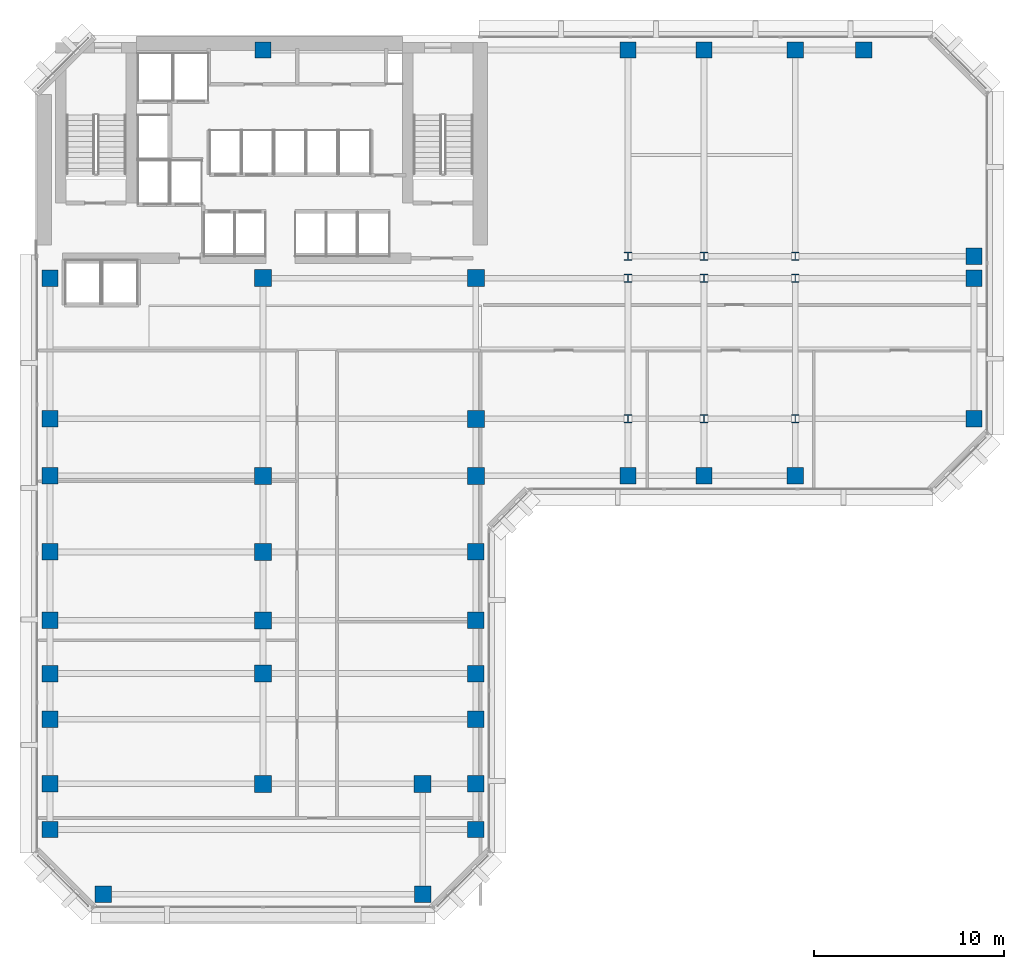
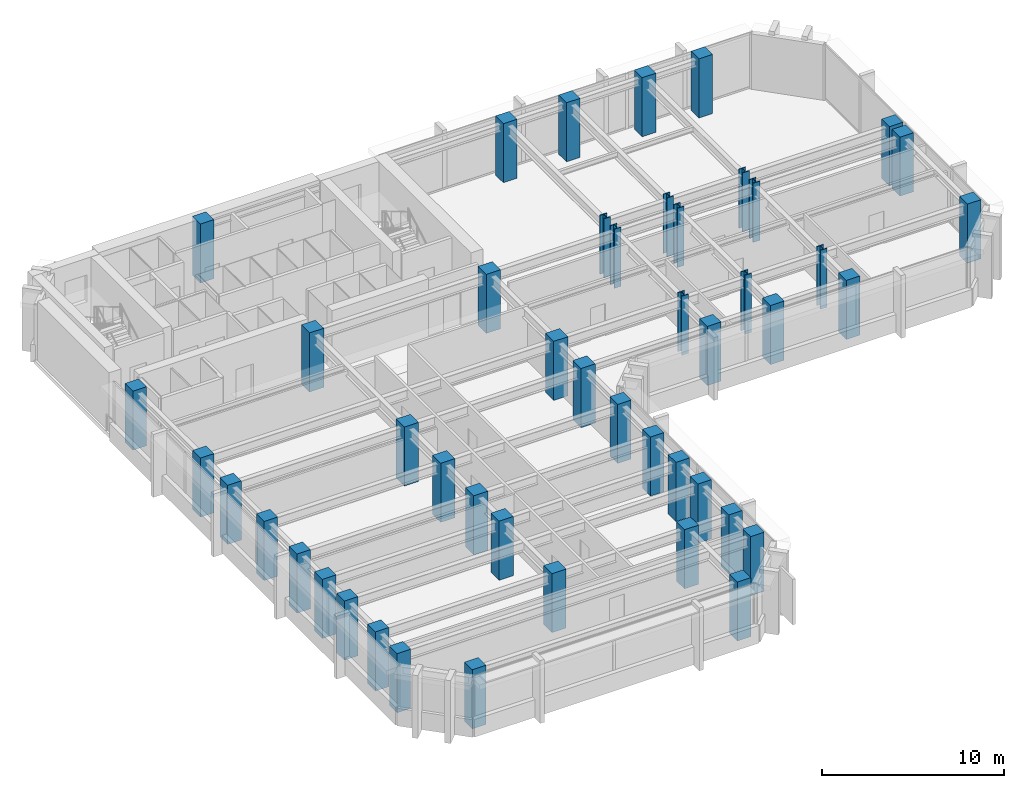
# One storey, part 1 of 12: 47 columns.
"""IFC4 building model written with IfcOpenShell, lengths in metres."""

from ifc_helpers import new_model, si_unit, direction, frame, origin, origin_2d, place, context, subcontext, project, spatial, rectangle, i_section, extrude, material, material_profile, profile_set, type_object, element, save


model = new_model("IFC4")

# Units and contexts
model_context = context("Model", 3, precision=1e-05, world=origin(), true_north=direction((0.0, 1.0)))
body_context = subcontext(model_context, "Body", "Model", "MODEL_VIEW")
ifc_project = project(units=[si_unit("LENGTHUNIT", "METRE"), si_unit("AREAUNIT", "SQUARE_METRE"), si_unit("VOLUMEUNIT", "CUBIC_METRE"), si_unit("PLANEANGLEUNIT", "RADIAN"), si_unit("MASSUNIT", "GRAM", prefix="KILO")], contexts=[model_context])

# Site, building, storey
site_placement = place(None, origin())
site = spatial("IfcSite", under=ifc_project, at=site_placement, CompositionType="ELEMENT")
building_placement = place(site_placement, origin())
building = spatial("IfcBuilding", under=site, at=building_placement, Name="Kefirva Bronze Tower", CompositionType="ELEMENT")
storey_placement = place(building_placement, frame((0.0, 0.0, 114.510009765625)))
storey = spatial("IfcBuildingStorey", under=building, at=storey_placement, Name="L27", CompositionType="ELEMENT", Elevation=114.510009765625)

# Columns
ifc_material_1 = material(Name="Concrete C60/75", Category="concrete")
ifc_material_profile_1 = material_profile(ifc_material_1, rectangle(XDim=0.860107421875, YDim=0.860107421875, at=origin_2d()), Name="RC 860x860")
ifc_profile_set_1 = profile_set([ifc_material_profile_1], Name="Concrete C60/75")
column_type_1 = type_object("IfcColumnType", Name="RC Column 860x860 Ext", PredefinedType="COLUMN", material=ifc_profile_set_1)
for number, where, z_axis, x_axis, name in (
    (1, (0.800048828125, 4.199951171875, 0.0), (0.0, 0.0, 1.0), (1.0, 0.0, 0.0), "L27 Column C008_042"),
    (2, (0.800048828125, 6.60009765625, 0.0), (0.0, 0.0, 1.0), (1.0, 0.0, 0.0), "L27 Column C008_066"),
    (3, (0.800048828125, 10.0, 0.0), (0.0, 0.0, 1.0), (1.0, 0.0, 0.0), "L27 Column C008_100"),
    (4, (0.800048828125, 12.39990234375, 0.0), (0.0, 0.0, 1.0), (1.0, 0.0, 0.0), "L27 Column C008_124"),
    (5, (0.800048828125, 15.199951171875, 0.0), (0.0, 0.0, 1.0), (1.0, 0.0, 0.0), "L27 Column C008_152"),
    (6, (0.800048828125, 18.800048828125, 0.0), (0.0, 0.0, 1.0), (1.0, 0.0, 0.0), "L27 Column C008_188"),
    (7, (0.800048828125, 22.800048828125, 0.0), (0.0, 0.0, 1.0), (1.0, 0.0, 0.0), "L27 Column C008_228"),
    (8, (0.800048828125, 25.800048828125, 0.0), (0.0, 0.0, 1.0), (1.0, 0.0, 0.0), "L27 Column C008_258"),
    (9, (0.800048828125, 33.199951171875, 0.0), (0.0, 0.0, 1.0), (1.0, 0.0, 0.0), "L27 Column C008_332"),
    (10, (3.60009765625, 0.800048828125, 0.0), (0.0, 0.0, 1.0), (1.0, 0.0, 0.0), "L27 Column C036_008"),
    (11, (12.0, 45.199951171875, 0.0), (0.0, 0.0, 1.0), (1.0, 0.0, 0.0), "L27 Column C120_452"),
    (12, (20.39990234375, 0.800048828125, 0.0), (0.0, 0.0, 1.0), (1.0, 0.0, 0.0), "L27 Column C204_008"),
    (13, (23.199951171875, 4.199951171875, 0.0), (0.0, 0.0, 1.0), (1.0, 0.0, 0.0), "L27 Column C232_042"),
    (14, (23.199951171875, 6.60009765625, 0.0), (0.0, 0.0, 1.0), (1.0, 0.0, 0.0), "L27 Column C232_066"),
    (15, (23.199951171875, 10.0, 0.0), (0.0, 0.0, 1.0), (1.0, 0.0, 0.0), "L27 Column C232_100"),
    (16, (23.199951171875, 12.39990234375, 0.0), (0.0, 0.0, 1.0), (1.0, 0.0, 0.0), "L27 Column C232_124"),
    (17, (23.199951171875, 15.199951171875, 0.0), (0.0, 0.0, 1.0), (1.0, 0.0, 0.0), "L27 Column C232_152"),
    (18, (23.199951171875, 18.800048828125, 0.0), (0.0, 0.0, 1.0), (1.0, 0.0, 0.0), "L27 Column C232_188"),
    (19, (31.199951171875, 22.800048828125, 0.0), (0.0, 0.0, 1.0), (1.0, 0.0, 0.0), "L27 Column C312_228"),
    (20, (31.199951171875, 45.199951171875, 0.0), (0.0, 0.0, 1.0), (1.0, 0.0, 0.0), "L27 Column C312_452"),
    (21, (35.199951171875, 22.800048828125, 0.0), (0.0, 0.0, 1.0), (1.0, 0.0, 0.0), "L27 Column C352_228"),
    (22, (35.199951171875, 45.199951171875, 0.0), (0.0, 0.0, 1.0), (1.0, 0.0, 0.0), "L27 Column C352_452"),
    (23, (40.0, 22.800048828125, 0.0), (0.0, 0.0, 1.0), (1.0, 0.0, 0.0), "L27 Column C400_228"),
    (24, (40.0, 45.199951171875, 0.0), (0.0, 0.0, 1.0), (1.0, 0.0, 0.0), "L27 Column C400_452"),
    (25, (43.60009765625, 45.199951171875, 0.0), (0.0, 0.0, 1.0), (1.0, 0.0, 0.0), "L27 Column C436_452"),
    (26, (49.39990234375, 25.800048828125, 0.0), (0.0, 0.0, 1.0), (1.0, 0.0, 0.0), "L27 Column C494_258"),
    (27, (49.39990234375, 33.199951171875, 0.0), (0.0, 0.0, 1.0), (1.0, 0.0, 0.0), "L27 Column C494_332"),
    (28, (49.39990234375, 34.35009765625, 0.0), (0.0, 0.0, 1.0), (1.0, 0.0, 0.0), "L27 Column C494_344"),
):
    element("IfcColumn", number, at=place(storey_placement, frame(where, z_axis=z_axis, x_axis=x_axis)), inside=storey, type_object=column_type_1, Name=name, PredefinedType="COLUMN", context=body_context, shape_type="SweptSolid", body=[
        extrude(rectangle(XDim=0.860107421875, YDim=0.860107421875, at=origin_2d()), origin(), (0.0, 0.0, 1.0), 3.9599609375),
    ])
ifc_material_profile_2 = material_profile(ifc_material_1, rectangle(XDim=0.89990234375, YDim=0.89990234375, at=origin_2d()), Name="RC 900x900")
ifc_profile_set_2 = profile_set([ifc_material_profile_2], Name="Concrete C60/75")
column_type_2 = type_object("IfcColumnType", Name="RC Column 900x900 Int", PredefinedType="COLUMN", material=ifc_profile_set_2)
for number, where, z_axis, x_axis, name in (
    (29, (12.0, 6.60009765625, 0.0), (0.0, 0.0, 1.0), (1.0, 0.0, 0.0), "L27 Column C120_066"),
    (30, (12.0, 12.39990234375, 0.0), (0.0, 0.0, 1.0), (1.0, 0.0, 0.0), "L27 Column C120_124"),
    (31, (12.0, 15.199951171875, 0.0), (0.0, 0.0, 1.0), (1.0, 0.0, 0.0), "L27 Column C120_152"),
    (32, (12.0, 18.800048828125, 0.0), (0.0, 0.0, 1.0), (1.0, 0.0, 0.0), "L27 Column C120_188"),
    (33, (12.0, 22.800048828125, 0.0), (0.0, 0.0, 1.0), (1.0, 0.0, 0.0), "L27 Column C120_228"),
    (34, (12.0, 33.199951171875, 0.0), (0.0, 0.0, 1.0), (1.0, 0.0, 0.0), "L27 Column C120_332"),
    (35, (20.39990234375, 6.60009765625, 0.0), (0.0, 0.0, 1.0), (1.0, 0.0, 0.0), "L27 Column C204_066"),
    (36, (23.199951171875, 22.800048828125, 0.0), (0.0, 0.0, 1.0), (1.0, 0.0, 0.0), "L27 Column C232_228"),
    (37, (23.199951171875, 25.800048828125, 0.0), (0.0, 0.0, 1.0), (1.0, 0.0, 0.0), "L27 Column C232_258"),
    (38, (23.199951171875, 33.199951171875, 0.0), (0.0, 0.0, 1.0), (1.0, 0.0, 0.0), "L27 Column C232_332"),
):
    element("IfcColumn", number, at=place(storey_placement, frame(where, z_axis=z_axis, x_axis=x_axis)), inside=storey, type_object=column_type_2, Name=name, PredefinedType="COLUMN", context=body_context, shape_type="SweptSolid", body=[
        extrude(rectangle(XDim=0.89990234375, YDim=0.89990234375, at=origin_2d()), origin(), (0.0, 0.0, 1.0), 3.9599609375),
    ])
ifc_material_2 = material(Name="Steel S460", Category="steel")
ifc_material_profile_3 = material_profile(ifc_material_2, i_section(OverallWidth=0.41796875, OverallDepth=0.455078125, WebThickness=0.031982421875, FlangeThickness=0.051025390625, at=origin_2d()), Name="HD 400x551")
ifc_profile_set_3 = profile_set([ifc_material_profile_3], Name="Steel S460")
column_type_3 = type_object("IfcColumnType", Name="Steel Column HD 400x551", PredefinedType="COLUMN", material=ifc_profile_set_3)
for number, where, z_axis, x_axis, name in (
    (39, (31.199951171875, 25.800048828125, 0.0), (0.0, 0.0, 1.0), (1.0, 0.0, 0.0), "L27 Column C312_258"),
    (40, (31.199951171875, 33.199951171875, 0.0), (0.0, 0.0, 1.0), (1.0, 0.0, 0.0), "L27 Column C312_332"),
    (41, (31.199951171875, 34.35009765625, 0.0), (0.0, 0.0, 1.0), (1.0, 0.0, 0.0), "L27 Column C312_344"),
    (42, (35.199951171875, 25.800048828125, 0.0), (0.0, 0.0, 1.0), (1.0, 0.0, 0.0), "L27 Column C352_258"),
    (43, (35.199951171875, 33.199951171875, 0.0), (0.0, 0.0, 1.0), (1.0, 0.0, 0.0), "L27 Column C352_332"),
    (44, (35.199951171875, 34.35009765625, 0.0), (0.0, 0.0, 1.0), (1.0, 0.0, 0.0), "L27 Column C352_344"),
    (45, (40.0, 25.800048828125, 0.0), (0.0, 0.0, 1.0), (1.0, 0.0, 0.0), "L27 Column C400_258"),
    (46, (40.0, 33.199951171875, 0.0), (0.0, 0.0, 1.0), (1.0, 0.0, 0.0), "L27 Column C400_332"),
    (47, (40.0, 34.35009765625, 0.0), (0.0, 0.0, 1.0), (1.0, 0.0, 0.0), "L27 Column C400_344"),
):
    element("IfcColumn", number, at=place(storey_placement, frame(where, z_axis=z_axis, x_axis=x_axis)), inside=storey, type_object=column_type_3, Name=name, PredefinedType="COLUMN", context=body_context, shape_type="SweptSolid", body=[
        extrude(i_section(OverallWidth=0.41796875, OverallDepth=0.455078125, WebThickness=0.031982421875, FlangeThickness=0.051025390625, at=origin_2d()), origin(), (0.0, 0.0, 1.0), 3.9599609375),
    ])

save(model, "model.ifc")
